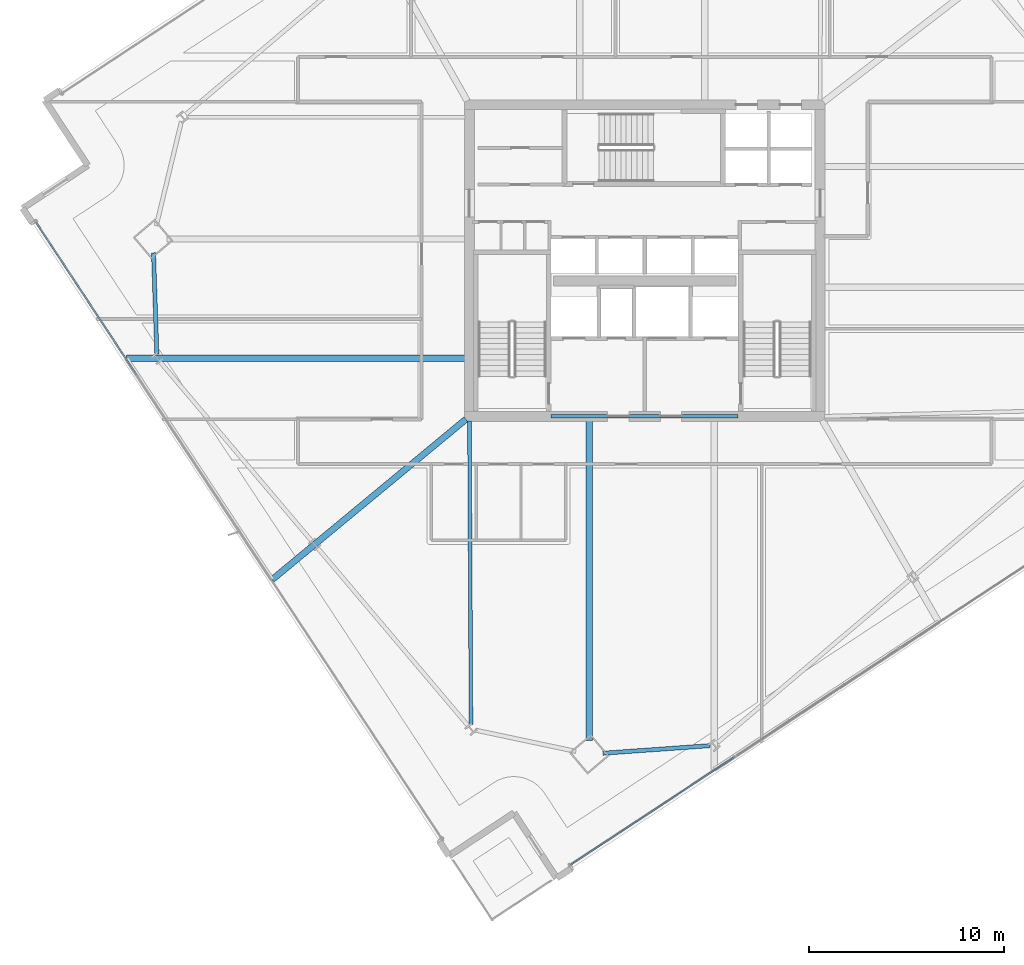
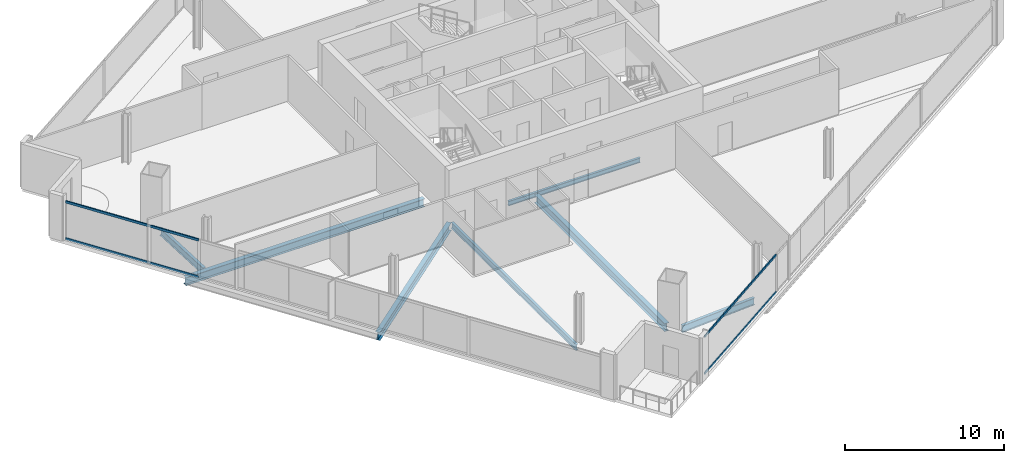
# One storey, part 5 of 29: 7 beams, 4 members, 2 elements without a shape of their own.
"""IFC4 building model written with IfcOpenShell, lengths in metres."""

from ifc_helpers import new_model, si_unit, direction, frame, origin, origin_2d, place, context, subcontext, project, spatial, hollow_rectangle, i_section, extrude, material, material_profile, profile_set, type_object, element, aggregate, save


model = new_model("IFC4")

# Units and contexts
model_context = context("Model", 3, precision=1e-05, world=origin(), true_north=direction((0.0, 1.0)))
body_context = subcontext(model_context, "Body", "Model", "MODEL_VIEW")
ifc_project = project(units=[si_unit("LENGTHUNIT", "METRE"), si_unit("AREAUNIT", "SQUARE_METRE"), si_unit("VOLUMEUNIT", "CUBIC_METRE"), si_unit("PLANEANGLEUNIT", "RADIAN"), si_unit("MASSUNIT", "GRAM", prefix="KILO")], contexts=[model_context])

# Site, building, storey
site_placement = place(None, origin())
site = spatial("IfcSite", under=ifc_project, at=site_placement, CompositionType="ELEMENT")
building_placement = place(site_placement, origin())
building = spatial("IfcBuilding", under=site, at=building_placement, Name="Haldenkirk Collegiate Tower", CompositionType="ELEMENT")
storey_placement = place(building_placement, frame((0.0, 0.0, 140.699951171875)))
storey = spatial("IfcBuildingStorey", under=building, at=storey_placement, Name="L34", CompositionType="ELEMENT", Elevation=140.699951171875)

# Beams
ifc_material_1 = material(Name="Steel ASTM A992 Grade 50", Category="steel")
ifc_material_profile_1 = material_profile(ifc_material_1, i_section(OverallWidth=0.324951171875, OverallDepth=0.615966796875, WebThickness=0.013916015625, FlangeThickness=0.021484375, at=origin_2d()), Name="W24X117")
ifc_profile_set_1 = profile_set([ifc_material_profile_1], Name="Steel ASTM A992 Grade 50")
beam_type_1 = type_object("IfcBeamType", Name="BM-GIRDER-W24X117", PredefinedType="BEAM", material=ifc_profile_set_1)
beam_1_placement = place(storey_placement, frame((33.149169921875, 1.36279296875, -0.597900390625), z_axis=(0.0, 1.0, 0.0), x_axis=(-1.0, 0.0, 0.0)))
element("IfcBeam", 1, at=beam_1_placement, inside=storey, type_object=beam_type_1, Name="L34 primary floor girder 01", PredefinedType="BEAM", context=body_context, shape_type="SweptSolid", body=[
    extrude(i_section(OverallWidth=0.324951171875, OverallDepth=0.615966796875, WebThickness=0.013916015625, FlangeThickness=0.021484375, at=origin_2d()), origin(), (0.0, 0.0, 1.0), 16.4072265625),
])
beam_2_placement = place(storey_placement, frame((9.39697265625, 20.9833984375, -0.597900390625), z_axis=(1.0, 0.0, 0.0), x_axis=(0.0, 1.0, 0.0)))
element("IfcBeam", 2, at=beam_2_placement, inside=storey, type_object=beam_type_1, Name="L34 primary floor girder 14", PredefinedType="BEAM", context=body_context, shape_type="SweptSolid", body=[
    extrude(i_section(OverallWidth=0.324951171875, OverallDepth=0.615966796875, WebThickness=0.013916015625, FlangeThickness=0.021484375, at=origin_2d()), origin(), (0.0, 0.0, 1.0), 17.373046875),
])
beam_3_placement = place(storey_placement, frame((16.87451171875, 9.62158203125, -0.597900390625), z_axis=(0.770435950304, 0.637517408765, 0.0), x_axis=(-0.637517408765, 0.770435950304, 0.0)))
element("IfcBeam", 3, at=beam_3_placement, inside=storey, type_object=beam_type_1, Name="L34 primary floor girder 15", PredefinedType="BEAM", context=body_context, shape_type="SweptSolid", body=[
    extrude(i_section(OverallWidth=0.324951171875, OverallDepth=0.615966796875, WebThickness=0.013916015625, FlangeThickness=0.021484375, at=origin_2d()), origin(), (0.0, 0.0, 1.0), 12.91259765625),
])
ifc_material_profile_2 = material_profile(ifc_material_1, i_section(OverallWidth=0.18994140625, OverallDepth=0.45703125, WebThickness=0.009033203125, FlangeThickness=0.014404296875, at=origin_2d()), Name="W18X50")
ifc_profile_set_2 = profile_set([ifc_material_profile_2], Name="Steel ASTM A992 Grade 50")
beam_type_2 = type_object("IfcBeamType", Name="BM-JOIST-W18X50", PredefinedType="JOIST", material=ifc_profile_set_2)
beam_4_placement = place(storey_placement, frame((27.081787109375, 2.17138671875, -0.5185546875), z_axis=(-0.005164896989, 0.999986661831, 0.0), x_axis=(-0.999986661831, -0.005164896989, 0.0)))
element("IfcBeam", 4, at=beam_4_placement, inside=storey, type_object=beam_type_2, Name="L34 composite floor joist 16", PredefinedType="JOIST", context=body_context, shape_type="SweptSolid", body=[
    extrude(i_section(OverallWidth=0.18994140625, OverallDepth=0.45703125, WebThickness=0.009033203125, FlangeThickness=0.014404296875, at=origin_2d()), origin(), (0.0, 0.0, 1.0), 15.598876953125),
])
ifc_material_profile_3 = material_profile(ifc_material_1, i_section(OverallWidth=0.1708984375, OverallDepth=0.35595703125, WebThickness=0.007080078125, FlangeThickness=0.01171875, at=origin_2d()), Name="W14X34")
ifc_profile_set_3 = profile_set([ifc_material_profile_3], Name="Steel ASTM A992 Grade 50")
beam_type_3 = type_object("IfcBeamType", Name="BM-LINTEL-W14X34", PredefinedType="LINTEL", material=ifc_profile_set_3)
beam_5_placement = place(storey_placement, frame((31.199951171875, 18.0, -0.468017578125), z_axis=(1.0, 0.0, 0.0), x_axis=(0.0, 1.0, 0.0)))
element("IfcBeam", 5, at=beam_5_placement, inside=storey, type_object=beam_type_3, Name="L34 south core coupling lintel", PredefinedType="LINTEL", context=body_context, shape_type="SweptSolid", body=[
    extrude(i_section(OverallWidth=0.1708984375, OverallDepth=0.35595703125, WebThickness=0.007080078125, FlangeThickness=0.01171875, at=origin_2d()), origin(), (0.0, 0.0, 1.0), 9.60009765625),
])
ifc_material_profile_4 = material_profile(ifc_material_1, i_section(OverallWidth=0.2119140625, OverallDepth=0.5439453125, WebThickness=0.01318359375, FlangeThickness=0.021240234375, at=origin_2d()), Name="W21X83")
ifc_profile_set_4 = profile_set([ifc_material_profile_4], Name="Steel ASTM A992 Grade 50")
beam_type_4 = type_object("IfcBeamType", Name="BM-SPANDREL-W21X83", PredefinedType="SPANDREL", material=ifc_profile_set_4)
beam_6_placement = place(storey_placement, frame((33.852294921875, 0.707763671875, -0.56201171875), z_axis=(0.997489017738, 0.070821320891, 0.0), x_axis=(-0.070821320891, 0.997489017738, 0.0)))
element("IfcBeam", 6, at=beam_6_placement, inside=storey, type_object=beam_type_4, Name="L34 perimeter spandrel beam 01", PredefinedType="SPANDREL", context=body_context, shape_type="SweptSolid", body=[
    extrude(i_section(OverallWidth=0.2119140625, OverallDepth=0.5439453125, WebThickness=0.01318359375, FlangeThickness=0.021240234375, at=origin_2d()), origin(), (0.0, 0.0, 1.0), 5.501953125),
])
beam_7_placement = place(storey_placement, frame((10.7841796875, 26.399169921875, -0.56201171875), z_axis=(0.033072037576, -0.999452970545, 0.0), x_axis=(0.999452970545, 0.033072037576, 0.0)))
element("IfcBeam", 7, at=beam_7_placement, inside=storey, type_object=beam_type_4, Name="L34 perimeter spandrel beam 13", PredefinedType="SPANDREL", context=body_context, shape_type="SweptSolid", body=[
    extrude(i_section(OverallWidth=0.2119140625, OverallDepth=0.5439453125, WebThickness=0.01318359375, FlangeThickness=0.021240234375, at=origin_2d()), origin(), (0.0, 0.0, 1.0), 5.189697265625),
])

# Curtain wall, members
ifc_material_2 = material(Name="Anodised architectural bronze aluminium", Category="aluminium")
curtain_wall_type_1 = type_object("IfcCurtainWallType", Name="CW-SYS2-CONCAVE", PredefinedType="USERDEFINED", material=ifc_material_2)
curtain_wall_1_placement = place(storey_placement, origin())
curtain_wall_1 = element("IfcCurtainWall", 8, at=curtain_wall_1_placement, inside=storey, type_object=curtain_wall_type_1, Name="L34 South concave recessed bronze-anodised curtain wall", ObjectType="UNITISED CURTAIN WALL", PredefinedType="USERDEFINED")
ifc_material_profile_5 = material_profile(ifc_material_2, hollow_rectangle(XDim=0.074951171875, YDim=0.159912109375, WallThickness=0.0048828125, at=origin_2d()), Name="CW-TRN-02")
ifc_profile_set_5 = profile_set([ifc_material_profile_5], Name="Anodised architectural bronze aluminium")
member_type_1 = type_object("IfcMemberType", Name="CW-TRN-02", PredefinedType="USERDEFINED", material=ifc_profile_set_5)
member_1_placement = place(storey_placement, frame((40.585205078125, 0.501953125, 0.03759765625), z_axis=(-0.83533595857, -0.549739789646, 0.0), x_axis=(0.549739789646, -0.83533595857, 0.0)))
member_1 = element("IfcMember", 9, at=member_1_placement, type_object=member_type_1, Name="CW-02 transom 4.1", ObjectType="TRANSOM", PredefinedType="USERDEFINED", context=body_context, shape_type="SweptSolid", body=[
    extrude(hollow_rectangle(XDim=0.074951171875, YDim=0.159912109375, WallThickness=0.0048828125, at=origin_2d()), origin(), (0.0, 0.0, 1.0), 10.03759765625),
])
member_2_placement = place(storey_placement, frame((40.585205078125, 0.501953125, 2.87353515625), z_axis=(-0.83533595857, -0.549739789646, 0.0), x_axis=(0.549739789646, -0.83533595857, 0.0)))
member_2 = element("IfcMember", 10, at=member_2_placement, type_object=member_type_1, Name="CW-02 transom 4.2", ObjectType="TRANSOM", PredefinedType="USERDEFINED", context=body_context, shape_type="SweptSolid", body=[
    extrude(hollow_rectangle(XDim=0.074951171875, YDim=0.159912109375, WallThickness=0.0048828125, at=origin_2d()), origin(), (0.0, 0.0, 1.0), 10.03759765625),
])
aggregate(curtain_wall_1, [member_1, member_2])

curtain_wall_type_2 = type_object("IfcCurtainWallType", Name="CW-SYS1-CONVEX-LOW", PredefinedType="USERDEFINED", material=ifc_material_2)
curtain_wall_2_placement = place(storey_placement, origin())
curtain_wall_2 = element("IfcCurtainWall", 11, at=curtain_wall_2_placement, inside=storey, type_object=curtain_wall_type_2, Name="L34 Lower tower convex bronze-framed unitised curtain wall", ObjectType="UNITISED CURTAIN WALL", PredefinedType="USERDEFINED")
ifc_material_profile_6 = material_profile(ifc_material_2, hollow_rectangle(XDim=0.080078125, YDim=0.179931640625, WallThickness=0.0048828125, at=origin_2d()), Name="CW-TRN-1A")
ifc_profile_set_6 = profile_set([ifc_material_profile_6], Name="Anodised architectural bronze aluminium")
member_type_2 = type_object("IfcMemberType", Name="CW-TRN-1A", PredefinedType="USERDEFINED", material=ifc_profile_set_6)
member_3_placement = place(storey_placement, frame((9.910400390625, 20.130615234375, 0.0400390625), z_axis=(-0.549753210914, 0.835327125796, 0.0), x_axis=(-0.835327125796, -0.549753210914, 0.0)))
member_3 = element("IfcMember", 12, at=member_3_placement, type_object=member_type_2, Name="CW-1A transom 4.1", ObjectType="TRANSOM", PredefinedType="USERDEFINED", context=body_context, shape_type="SweptSolid", body=[
    extrude(hollow_rectangle(XDim=0.080078125, YDim=0.179931640625, WallThickness=0.0048828125, at=origin_2d()), origin(), (0.0, 0.0, 1.0), 9.380126953125),
])
member_4_placement = place(storey_placement, frame((9.910400390625, 20.130615234375, 2.87109375), z_axis=(-0.549753210914, 0.835327125796, 0.0), x_axis=(-0.835327125796, -0.549753210914, 0.0)))
member_4 = element("IfcMember", 13, at=member_4_placement, type_object=member_type_2, Name="CW-1A transom 4.2", ObjectType="TRANSOM", PredefinedType="USERDEFINED", context=body_context, shape_type="SweptSolid", body=[
    extrude(hollow_rectangle(XDim=0.080078125, YDim=0.179931640625, WallThickness=0.0048828125, at=origin_2d()), origin(), (0.0, 0.0, 1.0), 9.380126953125),
])
aggregate(curtain_wall_2, [member_3, member_4])

save(model, "model.ifc")
